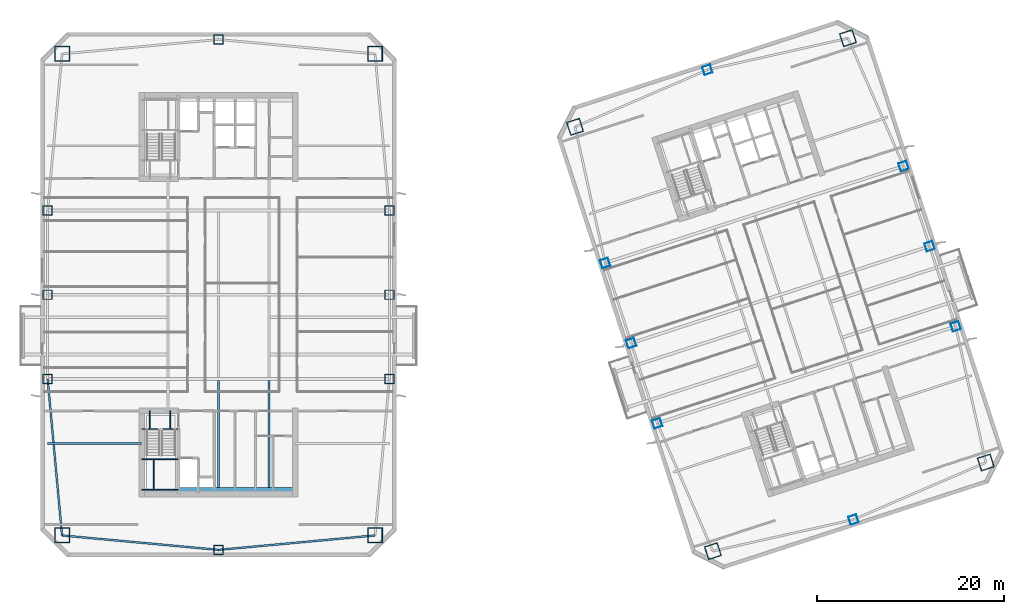
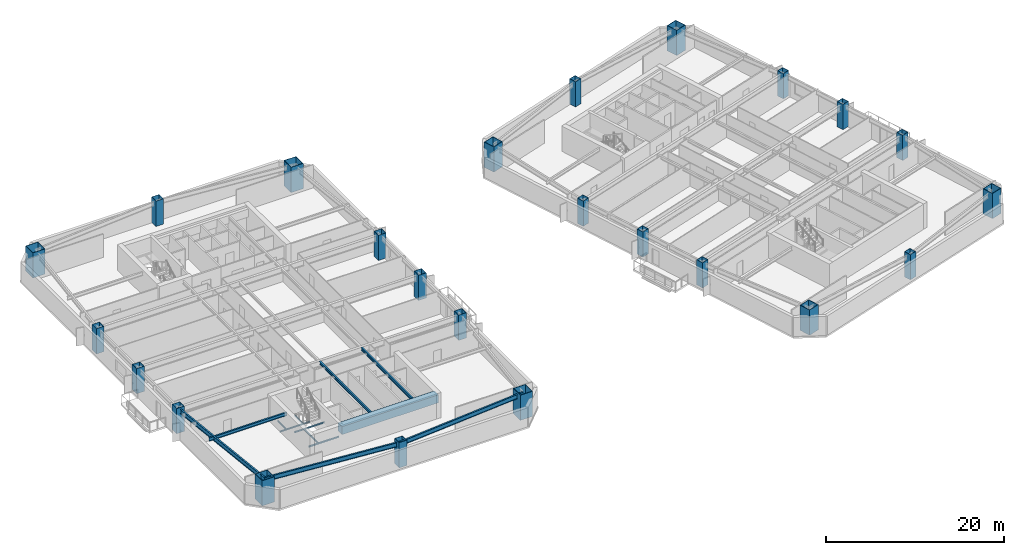
# One storey, part 1 of 16: 24 columns, 13 beams.
"""IFC4 building model written with IfcOpenShell, lengths in metres."""

from ifc_helpers import new_model, si_unit, direction, frame, origin, origin_2d, place, context, subcontext, project, spatial, rectangle, hollow_rectangle, i_section, extrude, material, material_profile, profile_set, type_object, element, save


model = new_model("IFC4")

# Units and contexts
model_context = context("Model", 3, precision=1e-05, world=origin(), true_north=direction((0.0, 1.0)))
body_context = subcontext(model_context, "Body", "Model", "MODEL_VIEW")
ifc_project = project(units=[si_unit("LENGTHUNIT", "METRE"), si_unit("AREAUNIT", "SQUARE_METRE"), si_unit("VOLUMEUNIT", "CUBIC_METRE"), si_unit("PLANEANGLEUNIT", "RADIAN"), si_unit("MASSUNIT", "GRAM", prefix="KILO")], contexts=[model_context])

# Site, building, storey
site_placement = place(None, origin())
site = spatial("IfcSite", under=ifc_project, at=site_placement, CompositionType="ELEMENT")
building_placement = place(site_placement, origin())
building = spatial("IfcBuilding", under=site, at=building_placement, Name="Qiaolan Cultural Towers", CompositionType="ELEMENT")
storey_placement = place(building_placement, frame((0.0, 0.0, 110.39990234375)))
storey = spatial("IfcBuildingStorey", under=building, at=storey_placement, Name="L28", CompositionType="ELEMENT", Elevation=110.39990234375)

# Columns
ifc_material_1 = material(Name="Steel Q355B", Category="steel")
ifc_material_profile_1 = material_profile(ifc_material_1, hollow_rectangle(XDim=1.0, YDim=1.0, WallThickness=0.035888671875, at=origin_2d()), Name="BOX1000x1000x36")
ifc_profile_set_1 = profile_set([ifc_material_profile_1], Name="Steel Q355B")
column_type_1 = type_object("IfcColumnType", Name="COL-BOX1000x1000x36", PredefinedType="COLUMN", material=ifc_profile_set_1)
for number, where, z_axis, x_axis, name in (
    (1, (11.75, 25.0, 0.0), (0.0, 0.0, 1.0), (1.0, 0.0, 0.0), "L28 T1 Perimeter Column PC-W1"),
    (2, (11.75, 34.0, 0.0), (0.0, 0.0, 1.0), (1.0, 0.0, 0.0), "L28 T1 Perimeter Column PC-W2"),
    (3, (11.75, 43.0, 0.0), (0.0, 0.0, 1.0), (1.0, 0.0, 0.0), "L28 T1 Perimeter Column PC-W3"),
    (4, (48.25, 25.0, 0.0), (0.0, 0.0, 1.0), (1.0, 0.0, 0.0), "L28 T1 Perimeter Column PC-E1"),
    (5, (48.25, 34.0, 0.0), (0.0, 0.0, 1.0), (1.0, 0.0, 0.0), "L28 T1 Perimeter Column PC-E2"),
    (6, (48.25, 43.0, 0.0), (0.0, 0.0, 1.0), (1.0, 0.0, 0.0), "L28 T1 Perimeter Column PC-E3"),
    (7, (30.0, 6.75, 0.0), (0.0, 0.0, 1.0), (1.0, 0.0, 0.0), "L28 T1 Perimeter Column PC-S0"),
    (8, (30.0, 61.25, 0.0), (0.0, 0.0, 1.0), (1.0, 0.0, 0.0), "L28 T1 Perimeter Column PC-N0"),
):
    element("IfcColumn", number, at=place(storey_placement, frame(where, z_axis=z_axis, x_axis=x_axis)), inside=storey, type_object=column_type_1, Name=name, PredefinedType="COLUMN", context=body_context, shape_type="SweptSolid", body=[
        extrude(hollow_rectangle(XDim=1.0, YDim=1.0, WallThickness=0.035888671875, at=origin_2d()), origin(), (0.0, 0.0, 1.0), 3.451171875),
    ])
ifc_material_2 = material(Name="Steel Q420GJB", Category="steel")
ifc_material_profile_2 = material_profile(ifc_material_2, hollow_rectangle(XDim=1.449951171875, YDim=1.449951171875, WallThickness=0.050048828125, at=origin_2d()), Name="BOX1450x1450x50")
ifc_profile_set_2 = profile_set([ifc_material_profile_2], Name="Steel Q420GJB")
column_type_2 = type_object("IfcColumnType", Name="COL-BOX1450x1450x50", PredefinedType="COLUMN", material=ifc_profile_set_2)
for number, where, z_axis, x_axis, name in (
    (9, (82.79052734375, 6.611572265625, 0.0), (0.0, 0.0, 1.0), (0.951056516295, 0.309016994375, 0.0), "L28 T2 Perimeter Column MC-SW"),
    (10, (111.930908203125, 16.080078125, 0.0), (0.0, 0.0, 1.0), (0.951056516295, 0.309016994375, 0.0), "L28 T2 Perimeter Column MC-SE"),
    (11, (97.20947265625, 61.388427734375, 0.0), (0.0, 0.0, 1.0), (0.951056516295, 0.309016994375, 0.0), "L28 T2 Perimeter Column MC-NE"),
    (12, (68.069091796875, 51.919921875, 0.0), (0.0, 0.0, 1.0), (0.951056516295, 0.309016994375, 0.0), "L28 T2 Perimeter Column MC-NW"),
):
    element("IfcColumn", number, at=place(storey_placement, frame(where, z_axis=z_axis, x_axis=x_axis)), inside=storey, type_object=column_type_2, Name=name, PredefinedType="COLUMN", context=body_context, shape_type="SweptSolid", body=[
        extrude(hollow_rectangle(XDim=1.449951171875, YDim=1.449951171875, WallThickness=0.050048828125, at=origin_2d()), origin(), (0.0, 0.0, 1.0), 3.451171875),
    ])
ifc_material_3 = material(Name="Steel Q420GJB", Category="steel")
ifc_material_profile_3 = material_profile(ifc_material_3, hollow_rectangle(XDim=1.60009765625, YDim=1.60009765625, WallThickness=0.054931640625, at=origin_2d()), Name="BOX1600x1600x55")
ifc_profile_set_3 = profile_set([ifc_material_profile_3], Name="Steel Q420GJB")
column_type_3 = type_object("IfcColumnType", Name="COL-BOX1600x1600x55", PredefinedType="COLUMN", material=ifc_profile_set_3)
for number, where, z_axis, x_axis, name in (
    (13, (13.2900390625, 8.2900390625, 0.0), (0.0, 0.0, 1.0), (1.0, 0.0, 0.0), "L28 T1 Perimeter Column MC-SW"),
    (14, (46.7099609375, 8.2900390625, 0.0), (0.0, 0.0, 1.0), (1.0, 0.0, 0.0), "L28 T1 Perimeter Column MC-SE"),
    (15, (46.7099609375, 59.7099609375, 0.0), (0.0, 0.0, 1.0), (1.0, 0.0, 0.0), "L28 T1 Perimeter Column MC-NE"),
    (16, (13.2900390625, 59.7099609375, 0.0), (0.0, 0.0, 1.0), (1.0, 0.0, 0.0), "L28 T1 Perimeter Column MC-NW"),
):
    element("IfcColumn", number, at=place(storey_placement, frame(where, z_axis=z_axis, x_axis=x_axis)), inside=storey, type_object=column_type_3, Name=name, PredefinedType="COLUMN", context=body_context, shape_type="SweptSolid", body=[
        extrude(hollow_rectangle(XDim=1.60009765625, YDim=1.60009765625, WallThickness=0.054931640625, at=origin_2d()), origin(), (0.0, 0.0, 1.0), 3.451171875),
    ])
ifc_material_4 = material(Name="Steel Q355B", Category="steel")
ifc_material_profile_4 = material_profile(ifc_material_4, hollow_rectangle(XDim=0.89990234375, YDim=0.89990234375, WallThickness=0.031982421875, at=origin_2d()), Name="BOX900x900x32")
ifc_profile_set_4 = profile_set([ifc_material_profile_4], Name="Steel Q355B")
column_type_4 = type_object("IfcColumnType", Name="COL-BOX900x900x32", PredefinedType="COLUMN", material=ifc_profile_set_4)
for number, where, z_axis, x_axis, name in (
    (17, (76.85107421875, 20.264404296875, 0.0), (0.0, 0.0, 1.0), (0.951056516295, 0.309016994375, 0.0), "L28 T2 Perimeter Column PC-W1"),
    (18, (74.06982421875, 28.823974609375, 0.0), (0.0, 0.0, 1.0), (0.951056516295, 0.309016994375, 0.0), "L28 T2 Perimeter Column PC-W2"),
    (19, (71.28857421875, 37.383544921875, 0.0), (0.0, 0.0, 1.0), (0.951056516295, 0.309016994375, 0.0), "L28 T2 Perimeter Column PC-W3"),
    (20, (108.71142578125, 30.616455078125, 0.0), (0.0, 0.0, 1.0), (0.951056516295, 0.309016994375, 0.0), "L28 T2 Perimeter Column PC-E1"),
    (21, (105.93017578125, 39.176025390625, 0.0), (0.0, 0.0, 1.0), (0.951056516295, 0.309016994375, 0.0), "L28 T2 Perimeter Column PC-E2"),
    (22, (103.14892578125, 47.735595703125, 0.0), (0.0, 0.0, 1.0), (0.951056516295, 0.309016994375, 0.0), "L28 T2 Perimeter Column PC-E3"),
    (23, (97.802734375, 9.98583984375, 0.0), (0.0, 0.0, 1.0), (0.951056516295, 0.309016994375, 0.0), "L28 T2 Perimeter Column PC-S0"),
    (24, (82.197265625, 58.01416015625, 0.0), (0.0, 0.0, 1.0), (0.951056516295, 0.309016994375, 0.0), "L28 T2 Perimeter Column PC-N0"),
):
    element("IfcColumn", number, at=place(storey_placement, frame(where, z_axis=z_axis, x_axis=x_axis)), inside=storey, type_object=column_type_4, Name=name, PredefinedType="COLUMN", context=body_context, shape_type="SweptSolid", body=[
        extrude(hollow_rectangle(XDim=0.89990234375, YDim=0.89990234375, WallThickness=0.031982421875, at=origin_2d()), origin(), (0.0, 0.0, 1.0), 3.451171875),
    ])

# Beams
ifc_material_5 = material(Name="Steel Q355B", Category="steel")
ifc_material_profile_5 = material_profile(ifc_material_5, i_section(OverallWidth=0.199951171875, OverallDepth=0.39990234375, WebThickness=0.008056640625, FlangeThickness=0.012939453125, at=origin_2d()), Name="HN400x200x8x13")
ifc_profile_set_5 = profile_set([ifc_material_profile_5], Name="Steel Q355B")
beam_type_1 = type_object("IfcBeamType", Name="BM-JST-HN400x200x8x13", PredefinedType="JOIST", material=ifc_profile_set_5)
for number, where, z_axis, x_axis, name in (
    (25, (30.0, 13.39990234375, 2.989990234375), (0.0, 1.0, 0.0), (-1.0, 0.0, 0.0), "L28 T1 Secondary Floor Joist U2-1"),
    (26, (35.39990234375, 13.39990234375, 2.989990234375), (0.0, 1.0, 0.0), (-1.0, 0.0, 0.0), "L28 T1 Secondary Floor Joist U3-1"),
):
    element("IfcBeam", number, at=place(storey_placement, frame(where, z_axis=z_axis, x_axis=x_axis)), inside=storey, type_object=beam_type_1, Name=name, PredefinedType="JOIST", context=body_context, shape_type="SweptSolid", body=[
        extrude(i_section(OverallWidth=0.199951171875, OverallDepth=0.39990234375, WebThickness=0.008056640625, FlangeThickness=0.012939453125, at=origin_2d()), origin(), (0.0, 0.0, 1.0), 11.4501953125),
    ])
ifc_material_6 = material(Name="Steel Q355B", Category="steel")
ifc_material_profile_6 = material_profile(ifc_material_6, i_section(OverallWidth=0.199951171875, OverallDepth=0.449951171875, WebThickness=0.009033203125, FlangeThickness=0.013916015625, at=origin_2d()), Name="HN450x200x9x14")
ifc_profile_set_6 = profile_set([ifc_material_profile_6], Name="Steel Q355B")
beam_type_2 = type_object("IfcBeamType", Name="BM-LNT-HN450x200x9x14", PredefinedType="LINTEL", material=ifc_profile_set_6)
beam_1_placement = place(storey_placement, frame((21.800048828125, 18.10009765625, 2.965087890625), z_axis=(-1.0, 0.0, 0.0), x_axis=(0.0, -1.0, 0.0)))
element("IfcBeam", 27, at=beam_1_placement, inside=storey, type_object=beam_type_2, Name="L28 T1 Core Flank Tie Lintel WS", PredefinedType="LINTEL", context=body_context, shape_type="SweptSolid", body=[
    extrude(i_section(OverallWidth=0.199951171875, OverallDepth=0.449951171875, WebThickness=0.009033203125, FlangeThickness=0.013916015625, at=origin_2d()), origin(), (0.0, 0.0, 1.0), 10.050048828125),
])
ifc_material_7 = material(Name="Concrete C50", Category="concrete")
ifc_material_profile_7 = material_profile(ifc_material_7, rectangle(XDim=0.89990234375, YDim=1.10009765625, at=origin_2d()), Name="RC900x1100")
ifc_profile_set_7 = profile_set([ifc_material_profile_7], Name="Concrete C50")
beam_type_3 = type_object("IfcBeamType", Name="BM-RC900x1100", PredefinedType="BEAM", material=ifc_profile_set_7)
beam_2_placement = place(storey_placement, frame((25.719970703125, 12.949951171875, 2.64013671875), z_axis=(1.0, 0.0, 0.0), x_axis=(0.0, 1.0, 0.0)))
element("IfcBeam", 28, at=beam_2_placement, inside=storey, type_object=beam_type_3, Name="L28 T1 Core Header Girder S", PredefinedType="BEAM", context=body_context, shape_type="SweptSolid", body=[
    extrude(rectangle(XDim=0.89990234375, YDim=1.10009765625, at=origin_2d()), origin(), (0.0, 0.0, 1.0), 12.47998046875),
])
ifc_material_8 = material(Name="Steel Q355B", Category="steel")
ifc_material_profile_8 = material_profile(ifc_material_8, i_section(OverallWidth=0.199951171875, OverallDepth=0.60009765625, WebThickness=0.010986328125, FlangeThickness=0.01708984375, at=origin_2d()), Name="HN600x200x11x17")
ifc_profile_set_8 = profile_set([ifc_material_profile_8], Name="Steel Q355B")
beam_type_4 = type_object("IfcBeamType", Name="BM-SPD-HN600x200x11x17", PredefinedType="SPANDREL", material=ifc_profile_set_8)
for number, where, z_axis, x_axis, name in (
    (29, (13.2900390625, 8.2900390625, 2.89013671875), (0.995779862064, -0.09177399582, 0.0), (0.09177399582, 0.995779862064, 0.0), "L28 T1 Perimeter Spandrel Beam 1"),
    (30, (30.0, 6.75, 2.89013671875), (0.995779862064, 0.09177399582, 0.0), (-0.09177399582, 0.995779862064, 0.0), "L28 T1 Perimeter Spandrel Beam 2"),
    (31, (11.75, 25.0, 2.89013671875), (0.09177399582, -0.995779862064, 0.0), (0.995779862064, 0.09177399582, 0.0), "L28 T1 Perimeter Spandrel Beam 12"),
):
    element("IfcBeam", number, at=place(storey_placement, frame(where, z_axis=z_axis, x_axis=x_axis)), inside=storey, type_object=beam_type_4, Name=name, PredefinedType="SPANDREL", context=body_context, shape_type="SweptSolid", body=[
        extrude(i_section(OverallWidth=0.199951171875, OverallDepth=0.60009765625, WebThickness=0.010986328125, FlangeThickness=0.01708984375, at=origin_2d()), origin(), (0.0, 0.0, 1.0), 16.78076171875),
    ])
ifc_material_9 = material(Name="Steel Q355B", Category="steel")
ifc_material_profile_9 = material_profile(ifc_material_9, i_section(OverallWidth=0.10009765625, OverallDepth=0.199951171875, WebThickness=0.005615234375, FlangeThickness=0.008056640625, at=origin_2d()), Name="HN200x100x5.5x8")
ifc_profile_set_9 = profile_set([ifc_material_profile_9], Name="Steel Q355B")
beam_type_5 = type_object("IfcBeamType", Name="BM-STTRIM-200", PredefinedType="BEAM", material=ifc_profile_set_9)
beam_3_placement = place(storey_placement, frame((21.800048828125, 19.659912109375, -0.4599609375), z_axis=(1.0, 0.0, 0.0), x_axis=(0.0, 1.0, 0.0)))
element("IfcBeam", 32, at=beam_3_placement, inside=storey, type_object=beam_type_5, Name="L28 ST-W1 Floor Landing Header Beam", PredefinedType="BEAM", context=body_context, shape_type="SweptSolid", body=[
    extrude(i_section(OverallWidth=0.10009765625, OverallDepth=0.199951171875, WebThickness=0.005615234375, FlangeThickness=0.008056640625, at=origin_2d()), origin(), (0.0, 0.0, 1.0), 3.919921875),
])
for number, where, z_axis, x_axis, name in (
    (33, (22.64990234375, 21.60009765625, -0.4599609375), (0.0, -1.0, 0.0), (1.0, 0.0, 0.0), "L28 ST-W1 Floor Landing Stringer 1"),
    (34, (24.85009765625, 21.60009765625, -0.4599609375), (0.0, -1.0, 0.0), (1.0, 0.0, 0.0), "L28 ST-W1 Floor Landing Stringer 2"),
):
    element("IfcBeam", number, at=place(storey_placement, frame(where, z_axis=z_axis, x_axis=x_axis)), inside=storey, type_object=beam_type_5, Name=name, PredefinedType="BEAM", context=body_context, shape_type="SweptSolid", body=[
        extrude(i_section(OverallWidth=0.10009765625, OverallDepth=0.199951171875, WebThickness=0.005615234375, FlangeThickness=0.008056640625, at=origin_2d()), origin(), (0.0, 0.0, 1.0), 1.940185546875),
    ])
for number, where, z_axis, x_axis, name in (
    (35, (21.800048828125, 16.411376953125, 1.425048828125), (1.0, 0.0, 0.0), (0.0, 1.0, 0.0), "L28 ST-W1 Stair Landing Support Beam 1-1"),
    (36, (21.800048828125, 13.179931640625, 1.425048828125), (1.0, 0.0, 0.0), (0.0, 1.0, 0.0), "L28 ST-W1 Stair Landing Support Beam 1-2"),
):
    element("IfcBeam", number, at=place(storey_placement, frame(where, z_axis=z_axis, x_axis=x_axis)), inside=storey, type_object=beam_type_5, Name=name, PredefinedType="BEAM", context=body_context, shape_type="SweptSolid", body=[
        extrude(i_section(OverallWidth=0.10009765625, OverallDepth=0.199951171875, WebThickness=0.005615234375, FlangeThickness=0.008056640625, at=origin_2d()), origin(), (0.0, 0.0, 1.0), 3.919921875),
    ])
beam_4_placement = place(storey_placement, frame((23.070068359375, 16.411376953125, 1.425048828125), z_axis=(0.0, -1.0, 0.0), x_axis=(1.0, 0.0, 0.0)))
element("IfcBeam", 37, at=beam_4_placement, inside=storey, type_object=beam_type_5, Name="L28 ST-W1 Stair Landing Trimmer 1", PredefinedType="BEAM", context=body_context, shape_type="SweptSolid", body=[
    extrude(i_section(OverallWidth=0.10009765625, OverallDepth=0.199951171875, WebThickness=0.005615234375, FlangeThickness=0.008056640625, at=origin_2d()), origin(), (0.0, 0.0, 1.0), 3.2314453125),
])

save(model, "model.ifc")
